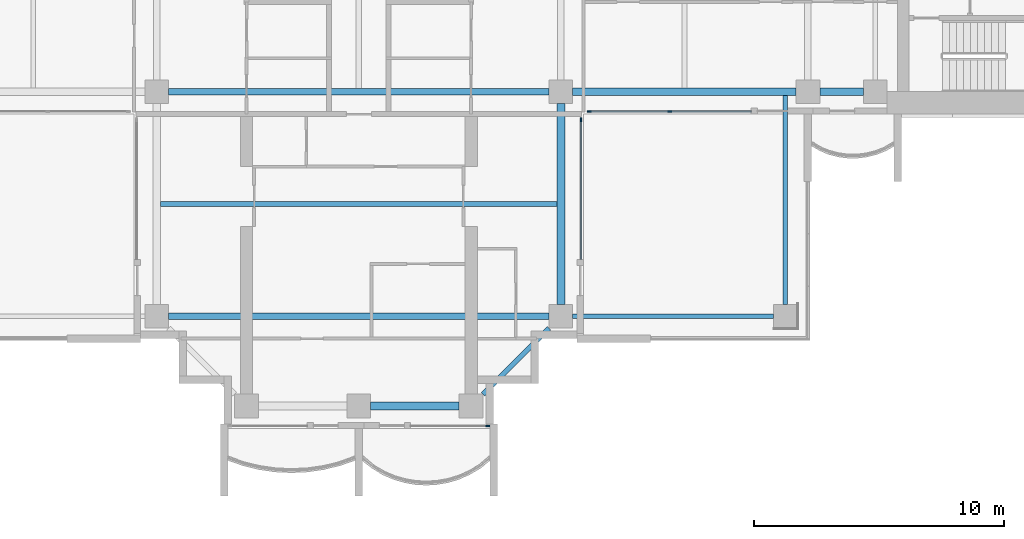
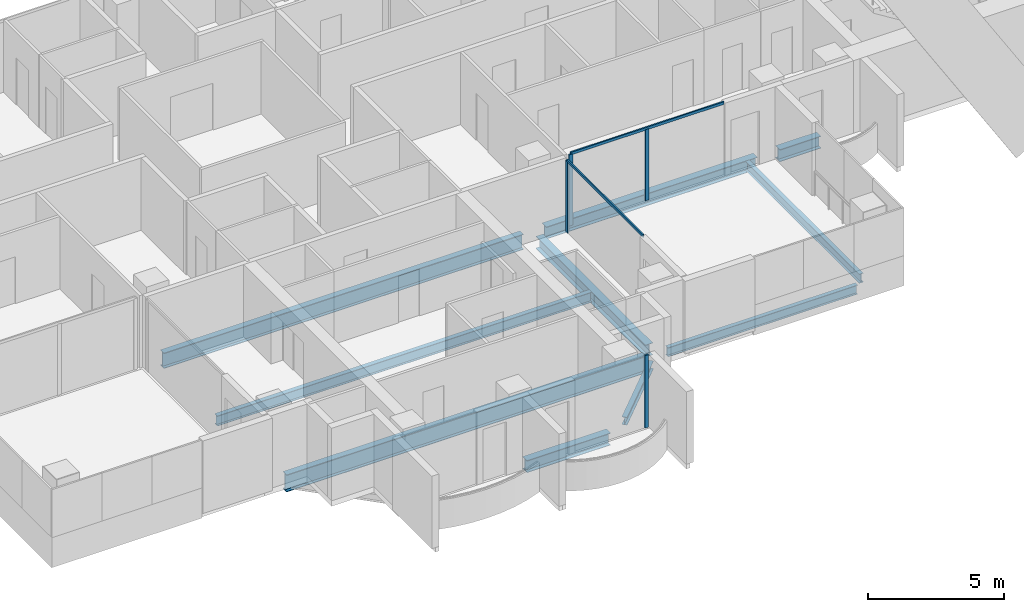
# One storey, part 3 of 18: 10 beams, 6 members, 3 elements without a shape of their own.
"""IFC4 building model written with IfcOpenShell, lengths in metres."""

from ifc_helpers import new_model, si_unit, direction, frame, origin, origin_2d, place, context, subcontext, project, spatial, rectangle, i_section, extrude, material, material_profile, profile_set, type_object, element, aggregate, save


model = new_model("IFC4")

# Units and contexts
model_context = context("Model", 3, precision=1e-05, world=origin(), true_north=direction((0.0, 1.0)))
body_context = subcontext(model_context, "Body", "Model", "MODEL_VIEW")
ifc_project = project(units=[si_unit("LENGTHUNIT", "METRE"), si_unit("AREAUNIT", "SQUARE_METRE"), si_unit("VOLUMEUNIT", "CUBIC_METRE"), si_unit("PLANEANGLEUNIT", "RADIAN"), si_unit("MASSUNIT", "GRAM", prefix="KILO")], contexts=[model_context])

# Site, building, storey
site_placement = place(None, origin())
site = spatial("IfcSite", under=ifc_project, at=site_placement, CompositionType="ELEMENT")
building_placement = place(site_placement, origin())
building = spatial("IfcBuilding", under=site, at=building_placement, Name="Perihelion Cross Residences", CompositionType="ELEMENT")
storey_placement = place(building_placement, frame((0.0, 0.0, 177.10009765625)))
storey = spatial("IfcBuildingStorey", under=building, at=storey_placement, Name="L43", CompositionType="ELEMENT", Elevation=177.10009765625)

# Curtain wall, member
ifc_material_1 = material(Name="Bronze anodised aluminium, tinted glazing", Category="aluminium")
curtain_wall_type = type_object("IfcCurtainWallType", Name="CW1", PredefinedType="NOTDEFINED", material=ifc_material_1)
curtain_wall_1_placement = place(storey_placement, origin())
curtain_wall_1 = element("IfcCurtainWall", 1, at=curtain_wall_1_placement, inside=storey, type_object=curtain_wall_type, Name="Curtain wall CW1 L43 south tip south bay 2", PredefinedType="NOTDEFINED")
ifc_material_2 = material(Name="Bronze anodised aluminium", Category="aluminium")
ifc_material_profile_1 = material_profile(ifc_material_2, rectangle(XDim=0.06005859375, YDim=0.159912109375, at=origin_2d()), Name="CW1 mullion")
ifc_profile_set_1 = profile_set([ifc_material_profile_1], Name="Bronze anodised aluminium")
member_type_1 = type_object("IfcMemberType", Name="CW1 mullion", PredefinedType="MULLION", material=ifc_profile_set_1)
member_1_placement = place(storey_placement, frame((5.169921875, -21.5, 0.0), z_axis=(0.0, 0.0, 1.0), x_axis=(0.0, 1.0, 0.0)))
member_1 = element("IfcMember", 2, at=member_1_placement, type_object=member_type_1, Name="CW1 mullion 2", PredefinedType="MULLION", context=body_context, shape_type="SweptSolid", body=[
    extrude(rectangle(XDim=0.06005859375, YDim=0.159912109375, at=origin_2d()), origin(), (0.0, 0.0, 1.0), 3.25),
])
aggregate(curtain_wall_1, [member_1])

curtain_wall_2_placement = place(storey_placement, origin())
curtain_wall_2 = element("IfcCurtainWall", 3, at=curtain_wall_2_placement, inside=storey, type_object=curtain_wall_type, Name="Curtain wall CW1 L43 south side east bay 1", PredefinedType="NOTDEFINED")
member_2_placement = place(storey_placement, frame((8.89990234375, -9.22998046875, 0.0), z_axis=(0.0, 0.0, 1.0), x_axis=(-1.0, 0.0, 0.0)))
member_2 = element("IfcMember", 4, at=member_2_placement, type_object=member_type_1, Name="CW1 mullion 2", PredefinedType="MULLION", context=body_context, shape_type="SweptSolid", body=[
    extrude(rectangle(XDim=0.06005859375, YDim=0.159912109375, at=origin_2d()), origin(), (0.0, 0.0, 1.0), 3.18994140625),
])

# Curtain wall, members
curtain_wall_3_placement = place(storey_placement, origin())
curtain_wall_3 = element("IfcCurtainWall", 5, at=curtain_wall_3_placement, inside=storey, type_object=curtain_wall_type, Name="Curtain wall CW1 L43 east side south bay 1", PredefinedType="NOTDEFINED")
member_3_placement = place(storey_placement, frame((9.22998046875, -8.89990234375, 0.0), z_axis=(0.0, 0.0, 1.0), x_axis=(0.0, 1.0, 0.0)))
member_3 = element("IfcMember", 6, at=member_3_placement, type_object=member_type_1, Name="CW1 mullion 1", PredefinedType="MULLION", context=body_context, shape_type="SweptSolid", body=[
    extrude(rectangle(XDim=0.06005859375, YDim=0.159912109375, at=origin_2d()), origin(), (0.0, 0.0, 1.0), 3.18994140625),
])
member_4_placement = place(storey_placement, frame((12.46240234375, -8.89990234375, 0.0), z_axis=(0.0, 0.0, 1.0), x_axis=(0.0, 1.0, 0.0)))
member_4 = element("IfcMember", 7, at=member_4_placement, type_object=member_type_1, Name="CW1 mullion 2", PredefinedType="MULLION", context=body_context, shape_type="SweptSolid", body=[
    extrude(rectangle(XDim=0.06005859375, YDim=0.159912109375, at=origin_2d()), origin(), (0.0, 0.0, 1.0), 3.18994140625),
])

# Member
ifc_material_3 = material(Name="Bronze anodised aluminium", Category="aluminium")
ifc_material_profile_2 = material_profile(ifc_material_3, rectangle(XDim=0.06005859375, YDim=0.1201171875, at=origin_2d()), Name="CW1 transom")
ifc_profile_set_2 = profile_set([ifc_material_profile_2], Name="Bronze anodised aluminium")
member_type_2 = type_object("IfcMemberType", Name="CW1 transom", PredefinedType="USERDEFINED", material=ifc_profile_set_2)
member_5_placement = place(storey_placement, frame((8.89990234375, -14.824951171875, 3.219970703125), z_axis=(0.0, 1.0, 0.0), x_axis=(-1.0, 0.0, 0.0)))
member_5 = element("IfcMember", 8, at=member_5_placement, type_object=member_type_2, Name="CW1 head transom", ObjectType="TRANSOM", PredefinedType="USERDEFINED", context=body_context, shape_type="SweptSolid", body=[
    extrude(rectangle(XDim=0.06005859375, YDim=0.1201171875, at=origin_2d()), origin(), (0.0, 0.0, 1.0), 5.594970703125),
])

aggregate(curtain_wall_2, [member_2, member_5])

member_6_placement = place(storey_placement, frame((9.22998046875, -8.89990234375, 3.219970703125), z_axis=(1.0, 0.0, 0.0), x_axis=(0.0, 1.0, 0.0)))
member_6 = element("IfcMember", 9, at=member_6_placement, type_object=member_type_2, Name="CW1 head transom", ObjectType="TRANSOM", PredefinedType="USERDEFINED", context=body_context, shape_type="SweptSolid", body=[
    extrude(rectangle(XDim=0.06005859375, YDim=0.1201171875, at=origin_2d()), origin(), (0.0, 0.0, 1.0), 6.4951171875),
])

aggregate(curtain_wall_3, [member_3, member_4, member_6])

# Beams
ifc_material_4 = material(Name="Steel S355", Category="steel")
ifc_material_profile_3 = material_profile(ifc_material_4, i_section(OverallWidth=0.177978515625, OverallDepth=0.406005859375, WebThickness=0.0078125, FlangeThickness=0.0126953125, at=origin_2d()), Name="W410x60")
ifc_profile_set_3 = profile_set([ifc_material_profile_3], Name="Steel S355")
beam_type_1 = type_object("IfcBeamType", Name="Core edge beam W410x60", PredefinedType="BEAM", material=ifc_profile_set_3)
beam_1_placement = place(storey_placement, frame((17.10009765625, -8.256103515625, -0.453125), z_axis=(0.0, -1.0, 0.0), x_axis=(1.0, 0.0, 0.0)))
element("IfcBeam", 10, at=beam_1_placement, inside=storey, type_object=beam_type_1, Name="Core edge beam TB2 L43 corner no. 3", PredefinedType="BEAM", context=body_context, shape_type="SweptSolid", body=[
    extrude(i_section(OverallWidth=0.177978515625, OverallDepth=0.406005859375, WebThickness=0.0078125, FlangeThickness=0.0126953125, at=origin_2d()), origin(), (0.0, 0.0, 1.0), 8.368896484375),
])
beam_2_placement = place(storey_placement, frame((8.574951171875, -17.10009765625, -0.453125), z_axis=(1.0, 0.0, 0.0), x_axis=(0.0, 1.0, 0.0)))
element("IfcBeam", 11, at=beam_2_placement, inside=storey, type_object=beam_type_1, Name="Core edge beam TB2 L43 corner no. 4", PredefinedType="BEAM", context=body_context, shape_type="SweptSolid", body=[
    extrude(i_section(OverallWidth=0.177978515625, OverallDepth=0.406005859375, WebThickness=0.0078125, FlangeThickness=0.0126953125, at=origin_2d()), origin(), (0.0, 0.0, 1.0), 8.050048828125),
])
ifc_material_5 = material(Name="Steel S355", Category="steel")
ifc_material_profile_4 = material_profile(ifc_material_5, i_section(OverallWidth=0.31201171875, OverallDepth=0.5439453125, WebThickness=0.0126953125, FlangeThickness=0.020263671875, at=origin_2d()), Name="W530x150")
ifc_profile_set_4 = profile_set([ifc_material_profile_4], Name="Steel S355")
beam_type_2 = type_object("IfcBeamType", Name="Edge beam W530x150", PredefinedType="SPANDREL", material=ifc_profile_set_4)
beam_3_placement = place(storey_placement, frame((0.47509765625, -20.699951171875, -0.522216796875), z_axis=(1.0, 0.0, 0.0), x_axis=(0.0, 1.0, 0.0)))
element("IfcBeam", 12, at=beam_3_placement, inside=storey, type_object=beam_type_2, Name="Edge beam SB4 L43 no. 7", PredefinedType="SPANDREL", context=body_context, shape_type="SweptSolid", body=[
    extrude(i_section(OverallWidth=0.31201171875, OverallDepth=0.5439453125, WebThickness=0.0126953125, FlangeThickness=0.020263671875, at=origin_2d()), origin(), (0.0, 0.0, 1.0), 3.5498046875),
])
beam_4_placement = place(storey_placement, frame((8.10009765625, -16.625, -0.522216796875), z_axis=(0.0, 1.0, 0.0), x_axis=(-1.0, 0.0, 0.0)))
element("IfcBeam", 13, at=beam_4_placement, inside=storey, type_object=beam_type_2, Name="Edge beam SB4 L43 no. 11", PredefinedType="SPANDREL", context=body_context, shape_type="SweptSolid", body=[
    extrude(i_section(OverallWidth=0.31201171875, OverallDepth=0.5439453125, WebThickness=0.0126953125, FlangeThickness=0.020263671875, at=origin_2d()), origin(), (0.0, 0.0, 1.0), 8.050048828125),
])
beam_5_placement = place(storey_placement, frame((8.574951171875, -8.10009765625, -0.522216796875), z_axis=(1.0, 0.0, 0.0), x_axis=(0.0, 1.0, 0.0)))
element("IfcBeam", 14, at=beam_5_placement, inside=storey, type_object=beam_type_2, Name="Edge beam SB4 L43 no. 12", PredefinedType="SPANDREL", context=body_context, shape_type="SweptSolid", body=[
    extrude(i_section(OverallWidth=0.31201171875, OverallDepth=0.5439453125, WebThickness=0.0126953125, FlangeThickness=0.020263671875, at=origin_2d()), origin(), (0.0, 0.0, 1.0), 8.949951171875),
])
beam_6_placement = place(storey_placement, frame((18.47509765625, -8.10009765625, -0.522216796875), z_axis=(1.0, 0.0, 0.0), x_axis=(0.0, 1.0, 0.0)))
element("IfcBeam", 15, at=beam_6_placement, inside=storey, type_object=beam_type_2, Name="Edge beam SB4 L43 no. 8", PredefinedType="SPANDREL", context=body_context, shape_type="SweptSolid", body=[
    extrude(i_section(OverallWidth=0.31201171875, OverallDepth=0.5439453125, WebThickness=0.0126953125, FlangeThickness=0.020263671875, at=origin_2d()), origin(), (0.0, 0.0, 1.0), 1.75),
])
ifc_material_6 = material(Name="Steel S355", Category="steel")
ifc_material_profile_5 = material_profile(ifc_material_6, i_section(OverallWidth=0.26708984375, OverallDepth=0.77001953125, WebThickness=0.015625, FlangeThickness=0.025390625, at=origin_2d()), Name="W760x196")
ifc_profile_set_5 = profile_set([ifc_material_profile_5], Name="Steel S355")
beam_type_3 = type_object("IfcBeamType", Name="Floor girder W760x196", PredefinedType="BEAM", material=ifc_profile_set_5)
beam_7_placement = place(storey_placement, frame((-7.625, -17.10009765625, -0.635009765625), z_axis=(1.0, 0.0, 0.0), x_axis=(0.0, 1.0, 0.0)))
element("IfcBeam", 16, at=beam_7_placement, inside=storey, type_object=beam_type_3, Name="Girder G4 L43 no. 3", PredefinedType="BEAM", context=body_context, shape_type="SweptSolid", body=[
    extrude(i_section(OverallWidth=0.26708984375, OverallDepth=0.77001953125, WebThickness=0.015625, FlangeThickness=0.025390625, at=origin_2d()), origin(), (0.0, 0.0, 1.0), 15.25),
])
ifc_material_7 = material(Name="Steel S355", Category="steel")
ifc_material_profile_6 = material_profile(ifc_material_7, i_section(OverallWidth=0.19091796875, OverallDepth=0.45703125, WebThickness=0.009033203125, FlangeThickness=0.014404296875, at=origin_2d()), Name="W460x74")
ifc_profile_set_6 = profile_set([ifc_material_profile_6], Name="Steel S355")
beam_type_4 = type_object("IfcBeamType", Name="Floor joist W460x74", PredefinedType="JOIST", material=ifc_profile_set_6)
beam_8_placement = place(storey_placement, frame((-7.944091796875, -12.60009765625, -0.478515625), z_axis=(1.0, 0.0, 0.0), x_axis=(0.0, 1.0, 0.0)))
element("IfcBeam", 17, at=beam_8_placement, inside=storey, type_object=beam_type_4, Name="Joist J5 L43 no. 3", PredefinedType="JOIST", context=body_context, shape_type="SweptSolid", body=[
    extrude(i_section(OverallWidth=0.19091796875, OverallDepth=0.45703125, WebThickness=0.009033203125, FlangeThickness=0.014404296875, at=origin_2d()), origin(), (0.0, 0.0, 1.0), 15.88818359375),
])
ifc_material_8 = material(Name="Steel S355", Category="steel")
ifc_material_profile_7 = material_profile(ifc_material_8, i_section(OverallWidth=0.257080078125, OverallDepth=0.693115234375, WebThickness=0.014404296875, FlangeThickness=0.023681640625, at=origin_2d()), Name="W690x170")
ifc_profile_set_7 = profile_set([ifc_material_profile_7], Name="Steel S355")
beam_type_5 = type_object("IfcBeamType", Name="Hub ring girder W690x170", PredefinedType="BEAM", material=ifc_profile_set_7)
beam_9_placement = place(storey_placement, frame((-7.625, -8.10009765625, -0.5966796875), z_axis=(1.0, 0.0, 0.0), x_axis=(0.0, 1.0, 0.0)))
element("IfcBeam", 18, at=beam_9_placement, inside=storey, type_object=beam_type_5, Name="Hub ring girder RG4 L43 no. 1", PredefinedType="BEAM", context=body_context, shape_type="SweptSolid", body=[
    extrude(i_section(OverallWidth=0.257080078125, OverallDepth=0.693115234375, WebThickness=0.014404296875, FlangeThickness=0.023681640625, at=origin_2d()), origin(), (0.0, 0.0, 1.0), 15.25),
])
ifc_material_9 = material(Name="Steel S355", Category="steel")
ifc_material_profile_8 = material_profile(ifc_material_9, i_section(OverallWidth=0.205078125, OverallDepth=0.35302734375, WebThickness=0.009521484375, FlangeThickness=0.016845703125, at=origin_2d()), Name="W360x79")
ifc_profile_set_8 = profile_set([ifc_material_profile_8], Name="Steel S355")
beam_type_6 = type_object("IfcBeamType", Name="Serration edge beam W360x79", PredefinedType="BEAM", material=ifc_profile_set_8)
beam_10_placement = place(storey_placement, frame((4.97509765625, -20.22509765625, -0.426513671875), z_axis=(0.70707420838, 0.707139352493, 0.0), x_axis=(-0.707139352493, 0.70707420838, 0.0)))
element("IfcBeam", 19, at=beam_10_placement, inside=storey, type_object=beam_type_6, Name="Serration edge beam EB4 L43 no. 2", PredefinedType="BEAM", context=body_context, shape_type="SweptSolid", body=[
    extrude(i_section(OverallWidth=0.205078125, OverallDepth=0.35302734375, WebThickness=0.009521484375, FlangeThickness=0.016845703125, at=origin_2d()), origin(), (0.0, 0.0, 1.0), 3.747802734375),
])

save(model, "model.ifc")
